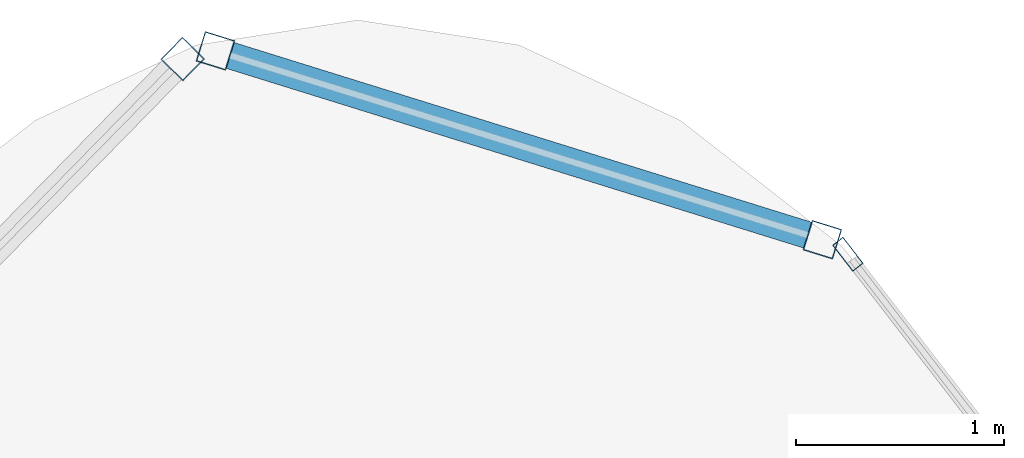
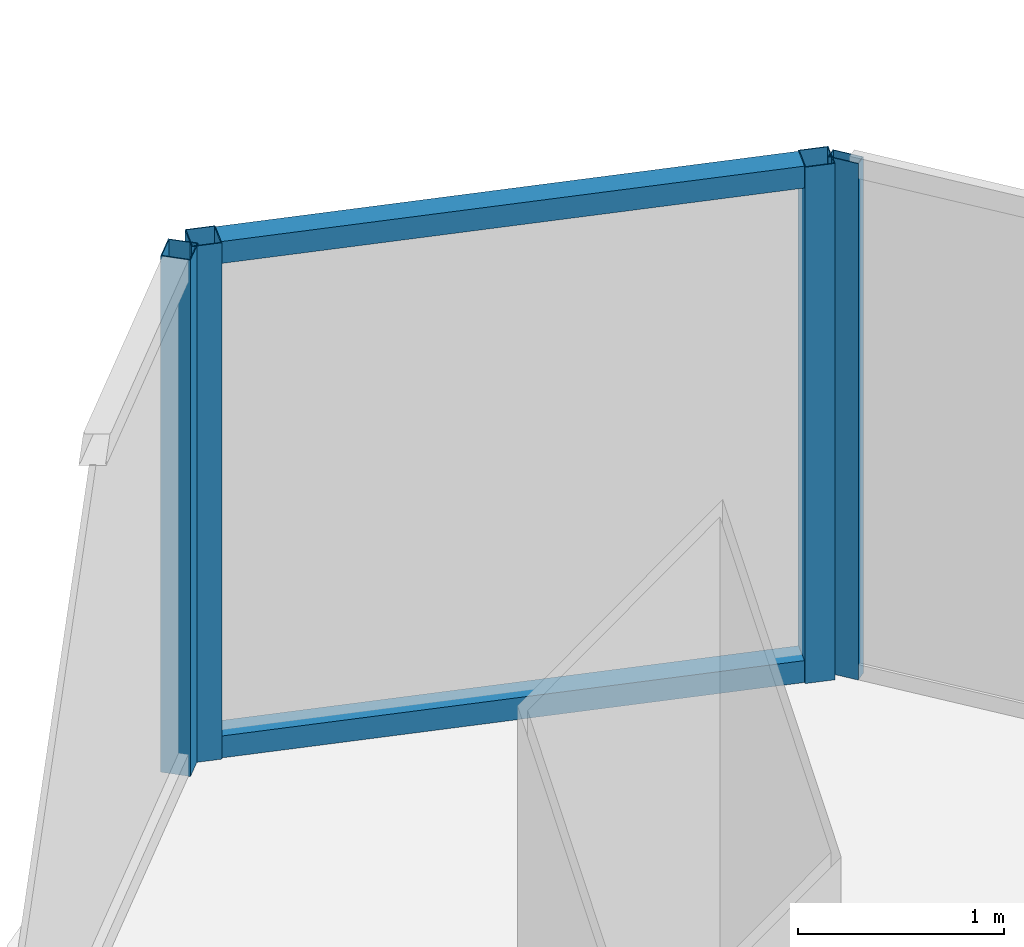
# One storey, part 23 of 29: 6 members, 3 elements without a shape of their own.
"""IFC4 building model written with IfcOpenShell, lengths in metres."""

from ifc_helpers import new_model, si_unit, direction, frame, origin, origin_2d, place, context, subcontext, project, spatial, hollow_rectangle, extrude, material, layer, layer_set, material_profile, profile_set, type_object, element, aggregate, save


model = new_model("IFC4")

# Units and contexts
model_context = context("Model", 3, precision=1e-05, world=origin(), true_north=direction((0.0, 1.0)))
body_context = subcontext(model_context, "Body", "Model", "MODEL_VIEW")
ifc_project = project(units=[si_unit("LENGTHUNIT", "METRE"), si_unit("AREAUNIT", "SQUARE_METRE"), si_unit("VOLUMEUNIT", "CUBIC_METRE"), si_unit("PLANEANGLEUNIT", "RADIAN"), si_unit("MASSUNIT", "GRAM", prefix="KILO")], contexts=[model_context])

# Site, building, storey
site_placement = place(None, origin())
site = spatial("IfcSite", under=ifc_project, at=site_placement, CompositionType="ELEMENT")
building_placement = place(site_placement, origin())
building = spatial("IfcBuilding", under=site, at=building_placement, Name="Orvanel Arch Residences", CompositionType="ELEMENT")
storey_placement = place(building_placement, frame((0.0, 0.0, 256.85009765625)))
storey = spatial("IfcBuildingStorey", under=building, at=storey_placement, Name="L73", CompositionType="ELEMENT", Elevation=256.85009765625)

# Curtain wall, members
ifc_material = material(Name="Bronze-anodised aluminium AA6063-T6", Category="aluminium")
ifc_layer_1 = layer(ifc_material, 0.18994140625)
ifc_layer_set_1 = layer_set([ifc_layer_1], Name="Bronze-anodised aluminium AA6063-T6")
curtain_wall_type_1 = type_object("IfcCurtainWallType", Name="CW5-CRN-SYS", PredefinedType="NOTDEFINED", material=ifc_layer_set_1)
curtain_wall_1_placement = place(storey_placement, origin())
curtain_wall_1 = element("IfcCurtainWall", 1, at=curtain_wall_1_placement, inside=storey, type_object=curtain_wall_type_1, Name="L73 CW5-CRN-SYS Unitised Curtain Wall", PredefinedType="NOTDEFINED")
ifc_material_profile_1 = material_profile(ifc_material, hollow_rectangle(XDim=0.14990234375, YDim=0.14990234375, WallThickness=0.0048828125, at=origin_2d()), Name="ALU150x150x5")
ifc_profile_set_1 = profile_set([ifc_material_profile_1], Name="Bronze-anodised aluminium AA6063-T6")
member_type_1 = type_object("IfcMemberType", Name="MUL-150x150", PredefinedType="MULLION", material=ifc_profile_set_1)
member_1_placement = place(storey_placement, frame((35.23046875, 43.92822265625, 0.0), z_axis=(0.0, 0.0, 1.0), x_axis=(-0.297047566696, -0.954862682861, 0.0)))
member_1 = element("IfcMember", 2, at=member_1_placement, type_object=member_type_1, Name="CW-S5 mullion 1", PredefinedType="MULLION", context=body_context, shape_type="SweptSolid", body=[
    extrude(hollow_rectangle(XDim=0.14990234375, YDim=0.14990234375, WallThickness=0.0048828125, at=origin_2d()), origin(), (0.0, 0.0, 1.0), 3.059814453125),
])
member_2_placement = place(storey_placement, frame((32.316650390625, 44.834716796875, 0.0), z_axis=(0.0, 0.0, 1.0), x_axis=(-0.297047566696, -0.954862682861, 0.0)))
member_2 = element("IfcMember", 3, at=member_2_placement, type_object=member_type_1, Name="CW-S5 mullion 2", PredefinedType="MULLION", context=body_context, shape_type="SweptSolid", body=[
    extrude(hollow_rectangle(XDim=0.14990234375, YDim=0.14990234375, WallThickness=0.0048828125, at=origin_2d()), origin(), (0.0, 0.0, 1.0), 3.059814453125),
])

# Curtain wall, member
curtain_wall_2_placement = place(storey_placement, origin())
curtain_wall_2 = element("IfcCurtainWall", 4, at=curtain_wall_2_placement, inside=storey, type_object=curtain_wall_type_1, Name="L73 CW5-CRN-SYS Unitised Curtain Wall", PredefinedType="NOTDEFINED")
member_3_placement = place(storey_placement, frame((32.159423828125, 44.79541015625, 0.0), z_axis=(0.0, 0.0, 1.0), x_axis=(0.714469105473, -0.699666990307, 0.0)))
member_3 = element("IfcMember", 5, at=member_3_placement, type_object=member_type_1, Name="CW-S5 mullion 1", PredefinedType="MULLION", context=body_context, shape_type="SweptSolid", body=[
    extrude(hollow_rectangle(XDim=0.14990234375, YDim=0.14990234375, WallThickness=0.0048828125, at=origin_2d()), origin(), (0.0, 0.0, 1.0), 3.059814453125),
])
aggregate(curtain_wall_2, [member_3])

ifc_layer_2 = layer(ifc_material, 0.175048828125)
ifc_layer_set_2 = layer_set([ifc_layer_2], Name="Bronze-anodised aluminium AA6063-T6")
curtain_wall_type_2 = type_object("IfcCurtainWallType", Name="CW4-HI-SYS", PredefinedType="NOTDEFINED", material=ifc_layer_set_2)
curtain_wall_3_placement = place(storey_placement, origin())
curtain_wall_3 = element("IfcCurtainWall", 6, at=curtain_wall_3_placement, inside=storey, type_object=curtain_wall_type_2, Name="L73 CW4-HI-SYS Unitised Curtain Wall", PredefinedType="NOTDEFINED")
ifc_material_profile_2 = material_profile(ifc_material, hollow_rectangle(XDim=0.06494140625, YDim=0.159912109375, WallThickness=0.00390625, at=origin_2d()), Name="ALU160x65x4")
ifc_profile_set_2 = profile_set([ifc_material_profile_2], Name="Bronze-anodised aluminium AA6063-T6")
member_type_2 = type_object("IfcMemberType", Name="MUL-160x65", PredefinedType="MULLION", material=ifc_profile_set_2)
member_4_placement = place(storey_placement, frame((35.352783203125, 43.8583984375, 0.0), z_axis=(0.0, 0.0, 1.0), x_axis=(-0.791336812136, -0.611380446006, 0.0)))
member_4 = element("IfcMember", 7, at=member_4_placement, type_object=member_type_2, Name="CW-S4 mullion 3", PredefinedType="MULLION", context=body_context, shape_type="SweptSolid", body=[
    extrude(hollow_rectangle(XDim=0.06494140625, YDim=0.159912109375, WallThickness=0.00390625, at=origin_2d()), origin(), (0.0, 0.0, 1.0), 3.059814453125),
])
aggregate(curtain_wall_3, [member_4])

# Member
ifc_material_profile_3 = material_profile(ifc_material, hollow_rectangle(XDim=0.1298828125, YDim=0.1298828125, WallThickness=0.00439453125, at=origin_2d()), Name="ALU130x130x4.5")
ifc_profile_set_3 = profile_set([ifc_material_profile_3], Name="Bronze-anodised aluminium AA6063-T6")
member_type_3 = type_object("IfcMemberType", Name="TRN-130x130", PredefinedType="USERDEFINED", material=ifc_profile_set_3)
member_5_placement = place(storey_placement, frame((35.15869140625, 43.950439453125, 0.06494140625), z_axis=(-0.954844576626, 0.297105763136, 0.0), x_axis=(-0.297105763136, -0.954844576626, 0.0)))
member_5 = element("IfcMember", 8, at=member_5_placement, type_object=member_type_3, Name="CW-S5 transom 1.1", ObjectType="TRANSOM", PredefinedType="USERDEFINED", context=body_context, shape_type="SweptSolid", body=[
    extrude(hollow_rectangle(XDim=0.1298828125, YDim=0.1298828125, WallThickness=0.00439453125, at=origin_2d()), origin(), (0.0, 0.0, 1.0), 2.901611328125),
])

member_6_placement = place(storey_placement, frame((35.15869140625, 43.950439453125, 2.994873046875), z_axis=(-0.954844576626, 0.297105763136, 0.0), x_axis=(-0.297105763136, -0.954844576626, 0.0)))
member_6 = element("IfcMember", 9, at=member_6_placement, type_object=member_type_3, Name="CW-S5 transom 1.2", ObjectType="TRANSOM", PredefinedType="USERDEFINED", context=body_context, shape_type="SweptSolid", body=[
    extrude(hollow_rectangle(XDim=0.1298828125, YDim=0.1298828125, WallThickness=0.00439453125, at=origin_2d()), origin(), (0.0, 0.0, 1.0), 2.901611328125),
])

aggregate(curtain_wall_1, [member_1, member_2, member_5, member_6])

save(model, "model.ifc")
